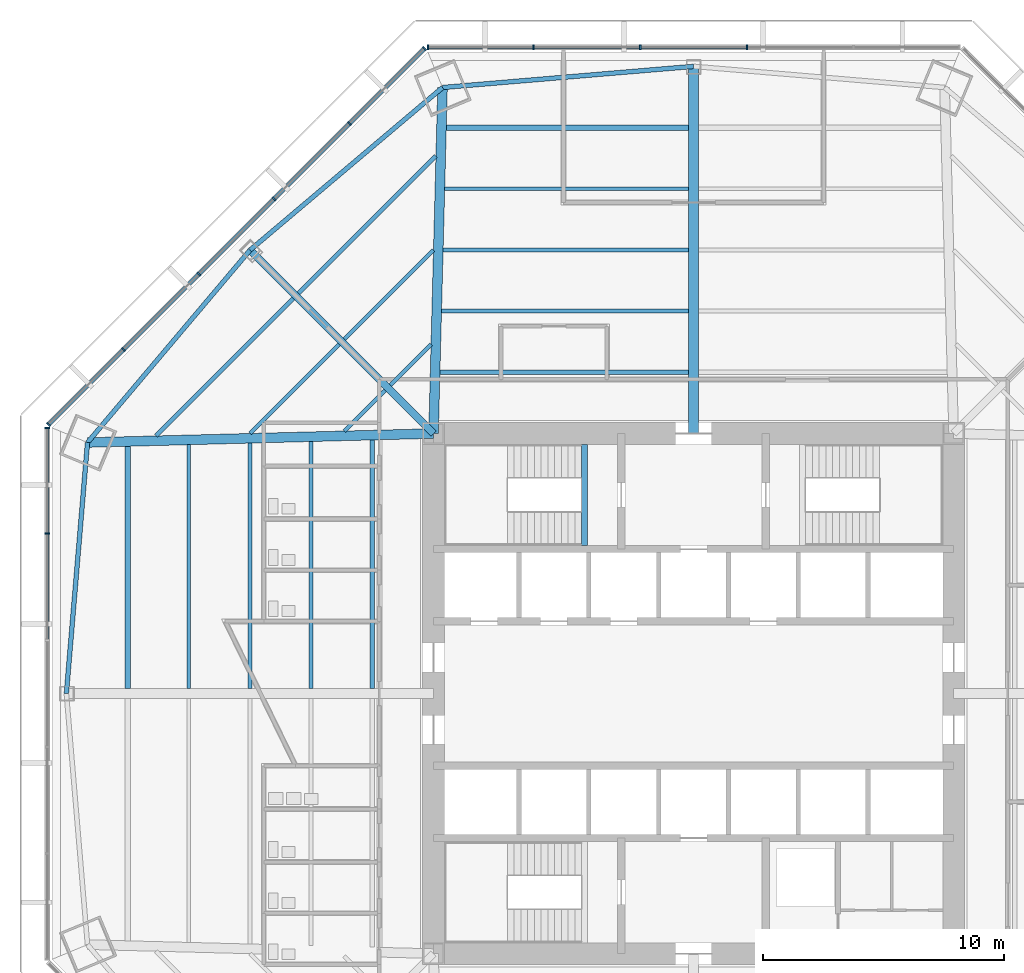
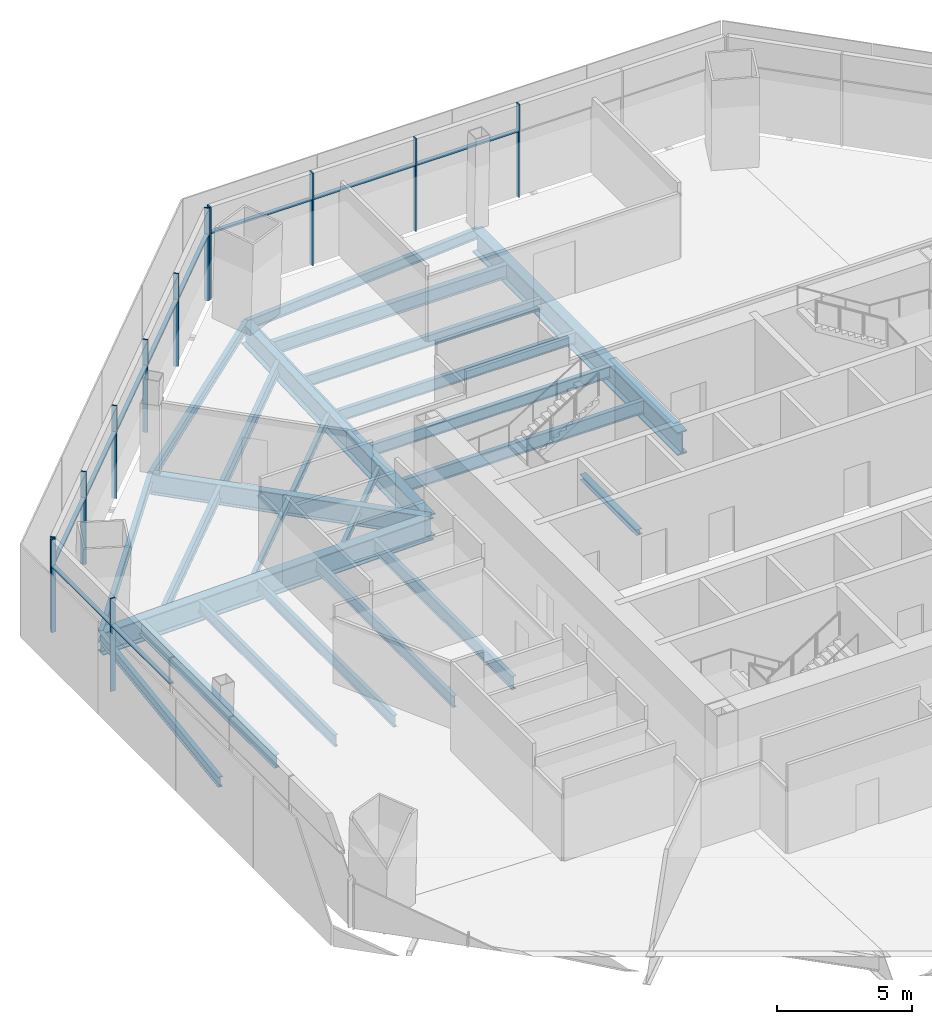
# One storey, part 4 of 14: 25 beams, 22 members, 3 elements without a shape of their own.
"""IFC4 building model written with IfcOpenShell, lengths in metres."""

from ifc_helpers import new_model, si_unit, direction, frame, origin, origin_2d, place, context, subcontext, project, spatial, rectangle, i_section, extrude, source, transform, mapped, material, material_profile, profile_set, type_object, type_shapes, element, aggregate, save


model = new_model("IFC4")

# Units and contexts
model_context = context("Model", 3, precision=1e-05, world=origin(), true_north=direction((0.0, 1.0)))
body_context = subcontext(model_context, "Body", "Model", "MODEL_VIEW")
ifc_project = project(units=[si_unit("LENGTHUNIT", "METRE"), si_unit("AREAUNIT", "SQUARE_METRE"), si_unit("VOLUMEUNIT", "CUBIC_METRE"), si_unit("PLANEANGLEUNIT", "RADIAN"), si_unit("MASSUNIT", "GRAM", prefix="KILO")], contexts=[model_context])

# Site, building, storey
site_placement = place(None, origin())
site = spatial("IfcSite", under=ifc_project, at=site_placement, CompositionType="ELEMENT")
building_placement = place(site_placement, origin())
building = spatial("IfcBuilding", under=site, at=building_placement, Name="Mashrafa Tower", CompositionType="ELEMENT")
storey_placement = place(building_placement, frame((0.0, 0.0, 41.39990234375)))
storey = spatial("IfcBuildingStorey", under=building, at=storey_placement, Name="L08", CompositionType="ELEMENT", Elevation=41.39990234375)

# Beams
ifc_material_1 = material(Name="Steel ASTM A992", Category="steel")
ifc_material_profile_1 = material_profile(ifc_material_1, i_section(OverallWidth=0.164794921875, OverallDepth=0.309814453125, WebThickness=0.005859375, FlangeThickness=0.009765625, FilletRadius=0.007568359375, at=origin_2d()), Name="W12X26")
ifc_profile_set_1 = profile_set([ifc_material_profile_1], Name="Steel ASTM A992")
beam_type_1 = type_object("IfcBeamType", Name="Beam W12X26", PredefinedType="BEAM", material=ifc_profile_set_1)
beam_1_placement = place(storey_placement, frame((-18.41650390625, 10.802490234375, -0.31982421875), z_axis=(0.707106781187, 0.707106781187, 0.0), x_axis=(-0.707106781187, 0.707106781187, 0.0)))
element("IfcBeam", 1, at=beam_1_placement, inside=storey, type_object=beam_type_1, Name="Floor beam L08 006", PredefinedType="BEAM", context=body_context, shape_type="SweptSolid", body=[
    extrude(i_section(OverallWidth=0.164794921875, OverallDepth=0.309814453125, WebThickness=0.005859375, FlangeThickness=0.009765625, FilletRadius=0.007568359375, at=origin_2d()), origin(), (0.0, 0.0, 1.0), 5.230224609375),
])
beam_2_placement = place(storey_placement, frame((-14.505126953125, 10.904296875, -0.31982421875), z_axis=(0.707106781187, 0.707106781187, 0.0), x_axis=(-0.707106781187, 0.707106781187, 0.0)))
element("IfcBeam", 2, at=beam_2_placement, inside=storey, type_object=beam_type_1, Name="Floor beam L08 013", PredefinedType="BEAM", context=body_context, shape_type="SweptSolid", body=[
    extrude(i_section(OverallWidth=0.164794921875, OverallDepth=0.309814453125, WebThickness=0.005859375, FlangeThickness=0.009765625, FilletRadius=0.007568359375, at=origin_2d()), origin(), (0.0, 0.0, 1.0), 2.392333984375),
])
beam_3_placement = place(storey_placement, frame((-14.500732421875, 14.71826171875, -0.31982421875), z_axis=(0.707106781187, 0.707106781187, 0.0), x_axis=(-0.707106781187, 0.707106781187, 0.0)))
element("IfcBeam", 3, at=beam_3_placement, inside=storey, type_object=beam_type_1, Name="Floor beam L08 015", PredefinedType="BEAM", context=body_context, shape_type="SweptSolid", body=[
    extrude(i_section(OverallWidth=0.164794921875, OverallDepth=0.309814453125, WebThickness=0.005859375, FlangeThickness=0.009765625, FilletRadius=0.007568359375, at=origin_2d()), origin(), (0.0, 0.0, 1.0), 5.230224609375),
])
beam_4_placement = place(storey_placement, frame((-12.595947265625, 12.8134765625, -0.31982421875), z_axis=(0.707106781187, 0.707106781187, 0.0), x_axis=(-0.707106781187, 0.707106781187, 0.0)))
element("IfcBeam", 4, at=beam_4_placement, inside=storey, type_object=beam_type_1, Name="Floor beam L08 019", PredefinedType="BEAM", context=body_context, shape_type="SweptSolid", body=[
    extrude(i_section(OverallWidth=0.164794921875, OverallDepth=0.309814453125, WebThickness=0.005859375, FlangeThickness=0.009765625, FilletRadius=0.007568359375, at=origin_2d()), origin(), (0.0, 0.0, 1.0), 2.392333984375),
])
ifc_material_2 = material(Name="Steel ASTM A992", Category="steel")
ifc_material_profile_2 = material_profile(ifc_material_2, i_section(OverallWidth=0.191162109375, OverallDepth=0.459716796875, WebThickness=0.010009765625, FlangeThickness=0.01611328125, FilletRadius=0.01025390625, at=origin_2d()), Name="W18X55")
ifc_profile_set_2 = profile_set([ifc_material_profile_2], Name="Steel ASTM A992")
beam_type_2 = type_object("IfcBeamType", Name="Beam W18X55", PredefinedType="BEAM", material=ifc_profile_set_2)
for number, where, z_axis, x_axis, name in (
    (5, (-25.169921875, 10.42578125, -0.394775390625), (-0.083933762543, -0.996471336018, 0.0), (0.996471336018, -0.083933762543, 0.0), "Spandrel beam L08 083"),
    (6, (-18.4189453125, 18.4189453125, -0.394775390625), (-0.645247408688, -0.763973678592, 0.0), (0.763973678592, -0.645247408688, 0.0), "Spandrel beam L08 085"),
    (7, (-10.42578125, 25.169921875, -0.394775390625), (-0.763973678592, -0.645247408688, 0.0), (0.645247408688, -0.763973678592, 0.0), "Spandrel beam L08 087"),
    (8, (0.0, 26.048095703125, -0.394775390625), (-0.996471336018, -0.083933762543, 0.0), (0.083933762543, -0.996471336018, 0.0), "Spandrel beam L08 089"),
):
    element("IfcBeam", number, at=place(storey_placement, frame(where, z_axis=z_axis, x_axis=x_axis)), inside=storey, type_object=beam_type_2, Name=name, PredefinedType="BEAM", context=body_context, shape_type="SweptSolid", body=[
        extrude(i_section(OverallWidth=0.191162109375, OverallDepth=0.459716796875, WebThickness=0.010009765625, FlangeThickness=0.01611328125, FilletRadius=0.01025390625, at=origin_2d()), origin(), (0.0, 0.0, 1.0), 10.462646484375),
    ])
ifc_material_3 = material(Name="Steel ASTM A992", Category="steel")
ifc_material_profile_3 = material_profile(ifc_material_3, i_section(OverallWidth=0.165771484375, OverallDepth=0.5283203125, WebThickness=0.009765625, FlangeThickness=0.013671875, FilletRadius=0.012939453125, at=origin_2d()), Name="W21X50")
ifc_profile_set_3 = profile_set([ifc_material_profile_3], Name="Steel ASTM A992")
beam_type_3 = type_object("IfcBeamType", Name="Beam W21X50", PredefinedType="BEAM", material=ifc_profile_set_3)
beam_5_placement = place(storey_placement, frame((-20.965576171875, 0.20458984375, -0.428955078125), z_axis=(0.0, 1.0, 0.0), x_axis=(-1.0, 0.0, 0.0)))
element("IfcBeam", 9, at=beam_5_placement, inside=storey, type_object=beam_type_3, Name="Floor beam L08 005", PredefinedType="BEAM", context=body_context, shape_type="SweptSolid", body=[
    extrude(i_section(OverallWidth=0.165771484375, OverallDepth=0.5283203125, WebThickness=0.009765625, FlangeThickness=0.013671875, FilletRadius=0.012939453125, at=origin_2d()), origin(), (0.0, 0.0, 1.0), 10.130126953125),
])
beam_6_placement = place(storey_placement, frame((-18.424072265625, 0.20458984375, -0.428955078125), z_axis=(0.0, 1.0, 0.0), x_axis=(-1.0, 0.0, 0.0)))
element("IfcBeam", 10, at=beam_6_placement, inside=storey, type_object=beam_type_3, Name="Floor beam L08 008", PredefinedType="BEAM", context=body_context, shape_type="SweptSolid", body=[
    extrude(i_section(OverallWidth=0.165771484375, OverallDepth=0.5283203125, WebThickness=0.009765625, FlangeThickness=0.013671875, FilletRadius=0.012939453125, at=origin_2d()), origin(), (0.0, 0.0, 1.0), 10.1962890625),
])
for number, where, z_axis, x_axis, name in (
    (11, (-15.8828125, 0.20458984375, -0.428955078125), (0.0, 1.0, 0.0), (-1.0, 0.0, 0.0), "Floor beam L08 012"),
    (12, (-10.466796875, 15.8828125, -0.428955078125), (1.0, 0.0, 0.0), (0.0, 1.0, 0.0), "Floor beam L08 022"),
):
    element("IfcBeam", number, at=place(storey_placement, frame(where, z_axis=z_axis, x_axis=x_axis)), inside=storey, type_object=beam_type_3, Name=name, PredefinedType="BEAM", context=body_context, shape_type="SweptSolid", body=[
        extrude(i_section(OverallWidth=0.165771484375, OverallDepth=0.5283203125, WebThickness=0.009765625, FlangeThickness=0.013671875, FilletRadius=0.012939453125, at=origin_2d()), origin(), (0.0, 0.0, 1.0), 10.26220703125),
    ])
beam_7_placement = place(storey_placement, frame((-10.40087890625, 18.424072265625, -0.428955078125), z_axis=(1.0, 0.0, 0.0), x_axis=(0.0, 1.0, 0.0)))
element("IfcBeam", 13, at=beam_7_placement, inside=storey, type_object=beam_type_3, Name="Floor beam L08 023", PredefinedType="BEAM", context=body_context, shape_type="SweptSolid", body=[
    extrude(i_section(OverallWidth=0.165771484375, OverallDepth=0.5283203125, WebThickness=0.009765625, FlangeThickness=0.013671875, FilletRadius=0.012939453125, at=origin_2d()), origin(), (0.0, 0.0, 1.0), 10.1962890625),
])
beam_8_placement = place(storey_placement, frame((-10.334716796875, 20.965576171875, -0.428955078125), z_axis=(1.0, 0.0, 0.0), x_axis=(0.0, 1.0, 0.0)))
element("IfcBeam", 14, at=beam_8_placement, inside=storey, type_object=beam_type_3, Name="Floor beam L08 025", PredefinedType="BEAM", context=body_context, shape_type="SweptSolid", body=[
    extrude(i_section(OverallWidth=0.165771484375, OverallDepth=0.5283203125, WebThickness=0.009765625, FlangeThickness=0.013671875, FilletRadius=0.012939453125, at=origin_2d()), origin(), (0.0, 0.0, 1.0), 10.130126953125),
])
ifc_material_4 = material(Name="Steel ASTM A992", Category="steel")
ifc_material_profile_4 = material_profile(ifc_material_4, i_section(OverallWidth=0.177978515625, OverallDepth=0.599365234375, WebThickness=0.010009765625, FlangeThickness=0.012939453125, FilletRadius=0.012939453125, at=origin_2d()), Name="W24X55")
ifc_profile_set_4 = profile_set([ifc_material_profile_4], Name="Steel ASTM A992")
beam_type_4 = type_object("IfcBeamType", Name="Beam W24X55", PredefinedType="BEAM", material=ifc_profile_set_4)
for number, where, z_axis, x_axis, name in (
    (15, (-22.327880859375, 10.700439453125, -0.464599609375), (0.707106781187, 0.707106781187, 0.0), (-0.707106781187, 0.707106781187, 0.0), "Floor beam L08 003"),
    (16, (-16.405517578125, 16.622802734375, -0.464599609375), (0.707106781187, 0.707106781187, 0.0), (-0.707106781187, 0.707106781187, 0.0), "Floor beam L08 010"),
):
    element("IfcBeam", number, at=place(storey_placement, frame(where, z_axis=z_axis, x_axis=x_axis)), inside=storey, type_object=beam_type_4, Name=name, PredefinedType="BEAM", context=body_context, shape_type="SweptSolid", body=[
        extrude(i_section(OverallWidth=0.177978515625, OverallDepth=0.599365234375, WebThickness=0.010009765625, FlangeThickness=0.012939453125, FilletRadius=0.012939453125, at=origin_2d()), origin(), (0.0, 0.0, 1.0), 8.068115234375),
    ])
for number, where, z_axis, x_axis, name in (
    (17, (-13.34130859375, 0.20458984375, -0.464599609375), (0.0, 1.0, 0.0), (-1.0, 0.0, 0.0), "Floor beam L08 017"),
    (18, (-10.533203125, 13.34130859375, -0.464599609375), (1.0, 0.0, 0.0), (0.0, 1.0, 0.0), "Floor beam L08 020"),
):
    element("IfcBeam", number, at=place(storey_placement, frame(where, z_axis=z_axis, x_axis=x_axis)), inside=storey, type_object=beam_type_4, Name=name, PredefinedType="BEAM", context=body_context, shape_type="SweptSolid", body=[
        extrude(i_section(OverallWidth=0.177978515625, OverallDepth=0.599365234375, WebThickness=0.010009765625, FlangeThickness=0.012939453125, FilletRadius=0.012939453125, at=origin_2d()), origin(), (0.0, 0.0, 1.0), 10.32861328125),
    ])
ifc_material_5 = material(Name="Steel ASTM A992", Category="steel")
ifc_material_profile_5 = material_profile(ifc_material_5, i_section(OverallWidth=0.227783203125, OverallDepth=0.60205078125, WebThickness=0.010498046875, FlangeThickness=0.014892578125, FilletRadius=0.012939453125, at=origin_2d()), Name="W24X68")
ifc_profile_set_5 = profile_set([ifc_material_profile_5], Name="Steel ASTM A992")
beam_type_5 = type_object("IfcBeamType", Name="Beam W24X68", PredefinedType="BEAM", material=ifc_profile_set_5)
for number, where, z_axis, x_axis, name in (
    (19, (-23.5068359375, 0.20458984375, -0.4658203125), (0.0, 1.0, 0.0), (-1.0, 0.0, 0.0), "Floor beam L08 002"),
    (20, (-10.268310546875, 23.5068359375, -0.4658203125), (1.0, 0.0, 0.0), (0.0, 1.0, 0.0), "Floor beam L08 027"),
):
    element("IfcBeam", number, at=place(storey_placement, frame(where, z_axis=z_axis, x_axis=x_axis)), inside=storey, type_object=beam_type_5, Name=name, PredefinedType="BEAM", context=body_context, shape_type="SweptSolid", body=[
        extrude(i_section(OverallWidth=0.227783203125, OverallDepth=0.60205078125, WebThickness=0.010498046875, FlangeThickness=0.014892578125, FilletRadius=0.012939453125, at=origin_2d()), origin(), (0.0, 0.0, 1.0), 10.063720703125),
    ])
ifc_material_6 = material(Name="Steel ASTM A992", Category="steel")
ifc_material_profile_6 = material_profile(ifc_material_6, i_section(OverallWidth=0.307373046875, OverallDepth=0.927001953125, WebThickness=0.01953125, FlangeThickness=0.031982421875, FilletRadius=0.01904296875, at=origin_2d()), Name="W36X194")
ifc_profile_set_6 = profile_set([ifc_material_profile_6], Name="Steel ASTM A992")
beam_type_6 = type_object("IfcBeamType", Name="Beam W36X194", PredefinedType="BEAM", material=ifc_profile_set_6)
beam_9_placement = place(storey_placement, frame((-10.800048828125, 10.800048828125, -0.62841796875), z_axis=(-0.707106781187, 0.707106781187, 0.0), x_axis=(-0.707106781187, -0.707106781187, 0.0)))
element("IfcBeam", 21, at=beam_9_placement, inside=storey, type_object=beam_type_6, Name="Radial girder L08 070", PredefinedType="BEAM", context=body_context, shape_type="SweptSolid", body=[
    extrude(i_section(OverallWidth=0.307373046875, OverallDepth=0.927001953125, WebThickness=0.01953125, FlangeThickness=0.031982421875, FilletRadius=0.01904296875, at=origin_2d()), origin(), (0.0, 0.0, 1.0), 10.774658203125),
])
ifc_material_7 = material(Name="Steel ASTM A992", Category="steel")
ifc_material_profile_7 = material_profile(ifc_material_7, i_section(OverallWidth=0.4013671875, OverallDepth=1.010986328125, WebThickness=0.023681640625, FlangeThickness=0.0419921875, FilletRadius=0.02001953125, at=origin_2d()), Name="W40X297")
ifc_profile_set_7 = profile_set([ifc_material_profile_7], Name="Steel ASTM A992")
beam_type_7 = type_object("IfcBeamType", Name="Beam W40X297", PredefinedType="BEAM", material=ifc_profile_set_7)
for number, where, z_axis, x_axis, name in (
    (22, (-10.800048828125, 10.800048828125, -0.67041015625), (-0.999660993778, -0.02603646517, 0.0), (0.02603646517, -0.999660993778, 0.0), "Radial girder L08 069"),
    (23, (-10.800048828125, 10.800048828125, -0.67041015625), (0.02603646517, 0.999660993778, 0.0), (-0.999660993778, 0.02603646517, 0.0), "Radial girder L08 071"),
):
    element("IfcBeam", number, at=place(storey_placement, frame(where, z_axis=z_axis, x_axis=x_axis)), inside=storey, type_object=beam_type_7, Name=name, PredefinedType="BEAM", context=body_context, shape_type="SweptSolid", body=[
        extrude(i_section(OverallWidth=0.4013671875, OverallDepth=1.010986328125, WebThickness=0.023681640625, FlangeThickness=0.0419921875, FilletRadius=0.02001953125, at=origin_2d()), origin(), (0.0, 0.0, 1.0), 14.374755859375),
    ])
ifc_material_8 = material(Name="Steel ASTM A992", Category="steel")
ifc_material_profile_8 = material_profile(ifc_material_8, i_section(OverallWidth=0.408935546875, OverallDepth=1.04150390625, WebThickness=0.031005859375, FlangeThickness=0.055908203125, FilletRadius=0.020263671875, at=origin_2d()), Name="W40X397")
ifc_profile_set_8 = profile_set([ifc_material_profile_8], Name="Steel ASTM A992")
beam_type_8 = type_object("IfcBeamType", Name="Beam W40X397", PredefinedType="BEAM", material=ifc_profile_set_8)
beam_10_placement = place(storey_placement, frame((0.0, 10.800048828125, -0.685546875), z_axis=(0.0, 1.0, 0.0), x_axis=(-1.0, 0.0, 0.0)))
element("IfcBeam", 24, at=beam_10_placement, inside=storey, type_object=beam_type_8, Name="Radial girder L08 073", PredefinedType="BEAM", context=body_context, shape_type="SweptSolid", body=[
    extrude(i_section(OverallWidth=0.408935546875, OverallDepth=1.04150390625, WebThickness=0.031005859375, FlangeThickness=0.055908203125, FilletRadius=0.020263671875, at=origin_2d()), origin(), (0.0, 0.0, 1.0), 15.248046875),
])
ifc_material_9 = material(Name="Steel ASTM A992", Category="steel")
ifc_material_profile_9 = material_profile(ifc_material_9, i_section(OverallWidth=0.25390625, OverallDepth=0.25390625, WebThickness=0.008544921875, FlangeThickness=0.01416015625, FilletRadius=0.010009765625, at=origin_2d()), Name="W10X49")
ifc_profile_set_9 = profile_set([ifc_material_profile_9], Name="Steel ASTM A992")
beam_type_9 = type_object("IfcBeamType", Name="Hoistway beam W10X49", PredefinedType="BEAM", material=ifc_profile_set_9)
beam_11_placement = place(storey_placement, frame((-4.530029296875, 6.14990234375, -0.326904296875), z_axis=(0.0, 1.0, 0.0), x_axis=(-1.0, 0.0, 0.0)))
element("IfcBeam", 25, at=beam_11_placement, inside=storey, type_object=beam_type_9, Name="Stair S1 landing beam L08", PredefinedType="BEAM", context=body_context, shape_type="SweptSolid", body=[
    extrude(i_section(OverallWidth=0.25390625, OverallDepth=0.25390625, WebThickness=0.008544921875, FlangeThickness=0.01416015625, FilletRadius=0.010009765625, at=origin_2d()), origin(), (0.0, 0.0, 1.0), 4.2001953125),
])

# Curtain wall, members
ifc_material_10 = material(Name="Unitised aluminium curtain wall", Category="aluminium")
curtain_wall_type = type_object("IfcCurtainWallType", Name="Office curtain wall, zone 1 CW-A 200 deep", PredefinedType="NOTDEFINED", material=ifc_material_10)
curtain_wall_1_placement = place(storey_placement, origin())
curtain_wall_1 = element("IfcCurtainWall", 26, at=curtain_wall_1_placement, inside=storey, type_object=curtain_wall_type, Name="Office curtain wall, zone 1 L08 north", PredefinedType="NOTDEFINED")
ifc_material_11 = material(Name="Extruded aluminium mullion", Category="aluminium")
ifc_material_profile_10 = material_profile(ifc_material_11, rectangle(XDim=0.199951171875, YDim=0.06494140625, at=origin_2d()), Name="Mullion 65x200")
ifc_profile_set_10 = profile_set([ifc_material_profile_10], Name="Extruded aluminium mullion")
member_type_1 = type_object("IfcMemberType", Name="Mullion CW-A 65 x 200", PredefinedType="MULLION", material=ifc_profile_set_10)
shared_shape_1 = source(origin(), body_context, "Body", "SweptSolid", [
    extrude(rectangle(XDim=0.199951171875, YDim=0.06494140625, at=origin_2d()), origin(), (0.0, 0.0, 1.0), 4.2001953125),
])
type_shapes(member_type_1, [shared_shape_1])
member_1_placement = place(storey_placement, frame((2.213623046875, 26.843505859375, 0.0), z_axis=(0.0, 0.0, 1.0), x_axis=(0.0, -1.0, 0.0)))
member_1 = element("IfcMember", 27, at=member_1_placement, type_object=member_type_1, Name="CW-A mullion 3", PredefinedType="MULLION", context=body_context, shape_type="MappedRepresentation", body=[
    mapped(shared_shape_1, transform((0.0, 0.0, 0.0))),
])
member_2_placement = place(storey_placement, frame((-2.213623046875, 26.843505859375, 0.0), z_axis=(0.0, 0.0, 1.0), x_axis=(0.0, -1.0, 0.0)))
member_2 = element("IfcMember", 28, at=member_2_placement, type_object=member_type_1, Name="CW-A mullion 4", PredefinedType="MULLION", context=body_context, shape_type="MappedRepresentation", body=[
    mapped(shared_shape_1, transform((0.0, 0.0, 0.0))),
])
member_3_placement = place(storey_placement, frame((-6.640625, 26.843505859375, 0.0), z_axis=(0.0, 0.0, 1.0), x_axis=(0.0, -1.0, 0.0)))
member_3 = element("IfcMember", 29, at=member_3_placement, type_object=member_type_1, Name="CW-A mullion 5", PredefinedType="MULLION", context=body_context, shape_type="MappedRepresentation", body=[
    mapped(shared_shape_1, transform((0.0, 0.0, 0.0))),
])
member_4_placement = place(storey_placement, frame((-11.03515625, 26.843505859375, 0.0), z_axis=(0.0, 0.0, 1.0), x_axis=(0.0, -1.0, 0.0)))
member_4 = element("IfcMember", 30, at=member_4_placement, type_object=member_type_1, Name="CW-A mullion 6", PredefinedType="MULLION", context=body_context, shape_type="MappedRepresentation", body=[
    mapped(shared_shape_1, transform((0.0, 0.0, 0.0))),
])

curtain_wall_2_placement = place(storey_placement, origin())
curtain_wall_2 = element("IfcCurtainWall", 31, at=curtain_wall_2_placement, inside=storey, type_object=curtain_wall_type, Name="Office curtain wall, zone 1 L08 north-west", PredefinedType="NOTDEFINED")
member_5_placement = place(storey_placement, frame((-11.17822265625, 26.7841796875, 0.0), z_axis=(0.0, 0.0, 1.0), x_axis=(0.707106781187, -0.707106781187, 0.0)))
member_5 = element("IfcMember", 32, at=member_5_placement, type_object=member_type_1, Name="CW-A mullion 1", PredefinedType="MULLION", context=body_context, shape_type="MappedRepresentation", body=[
    mapped(shared_shape_1, transform((0.0, 0.0, 0.0))),
])
member_6_placement = place(storey_placement, frame((-14.28564453125, 23.6767578125, 0.0), z_axis=(0.0, 0.0, 1.0), x_axis=(0.707106781187, -0.707106781187, 0.0)))
member_6 = element("IfcMember", 33, at=member_6_placement, type_object=member_type_1, Name="CW-A mullion 2", PredefinedType="MULLION", context=body_context, shape_type="MappedRepresentation", body=[
    mapped(shared_shape_1, transform((0.0, 0.0, 0.0))),
])
member_7_placement = place(storey_placement, frame((-17.416015625, 20.54638671875, 0.0), z_axis=(0.0, 0.0, 1.0), x_axis=(0.707106781187, -0.707106781187, 0.0)))
member_7 = element("IfcMember", 34, at=member_7_placement, type_object=member_type_1, Name="CW-A mullion 3", PredefinedType="MULLION", context=body_context, shape_type="MappedRepresentation", body=[
    mapped(shared_shape_1, transform((0.0, 0.0, 0.0))),
])
member_8_placement = place(storey_placement, frame((-20.54638671875, 17.416015625, 0.0), z_axis=(0.0, 0.0, 1.0), x_axis=(0.707106781187, -0.707106781187, 0.0)))
member_8 = element("IfcMember", 35, at=member_8_placement, type_object=member_type_1, Name="CW-A mullion 4", PredefinedType="MULLION", context=body_context, shape_type="MappedRepresentation", body=[
    mapped(shared_shape_1, transform((0.0, 0.0, 0.0))),
])
member_9_placement = place(storey_placement, frame((-23.6767578125, 14.28564453125, 0.0), z_axis=(0.0, 0.0, 1.0), x_axis=(0.707106781187, -0.707106781187, 0.0)))
member_9 = element("IfcMember", 36, at=member_9_placement, type_object=member_type_1, Name="CW-A mullion 5", PredefinedType="MULLION", context=body_context, shape_type="MappedRepresentation", body=[
    mapped(shared_shape_1, transform((0.0, 0.0, 0.0))),
])
member_10_placement = place(storey_placement, frame((-26.7841796875, 11.17822265625, 0.0), z_axis=(0.0, 0.0, 1.0), x_axis=(0.707106781187, -0.707106781187, 0.0)))
member_10 = element("IfcMember", 37, at=member_10_placement, type_object=member_type_1, Name="CW-A mullion 6", PredefinedType="MULLION", context=body_context, shape_type="MappedRepresentation", body=[
    mapped(shared_shape_1, transform((0.0, 0.0, 0.0))),
])

curtain_wall_3_placement = place(storey_placement, origin())
curtain_wall_3 = element("IfcCurtainWall", 38, at=curtain_wall_3_placement, inside=storey, type_object=curtain_wall_type, Name="Office curtain wall, zone 1 L08 west", PredefinedType="NOTDEFINED")
member_11_placement = place(storey_placement, frame((-26.843505859375, 11.03515625, 0.0), z_axis=(0.0, 0.0, 1.0), x_axis=(1.0, 0.0, 0.0)))
member_11 = element("IfcMember", 39, at=member_11_placement, type_object=member_type_1, Name="CW-A mullion 1", PredefinedType="MULLION", context=body_context, shape_type="MappedRepresentation", body=[
    mapped(shared_shape_1, transform((0.0, 0.0, 0.0))),
])
member_12_placement = place(storey_placement, frame((-26.843505859375, 6.640625, 0.0), z_axis=(0.0, 0.0, 1.0), x_axis=(1.0, 0.0, 0.0)))
member_12 = element("IfcMember", 40, at=member_12_placement, type_object=member_type_1, Name="CW-A mullion 2", PredefinedType="MULLION", context=body_context, shape_type="MappedRepresentation", body=[
    mapped(shared_shape_1, transform((0.0, 0.0, 0.0))),
])

# Member
ifc_material_12 = material(Name="Extruded aluminium transom", Category="aluminium")
ifc_material_profile_11 = material_profile(ifc_material_12, rectangle(XDim=0.159912109375, YDim=0.080078125, at=origin_2d()), Name="Transom 80x160")
ifc_profile_set_11 = profile_set([ifc_material_profile_11], Name="Extruded aluminium transom")
member_type_2 = type_object("IfcMemberType", Name="Transom CW-A 80 x 160", PredefinedType="MULLION", material=ifc_profile_set_11)
shared_shape_2 = source(origin(), body_context, "Body", "SweptSolid", [
    extrude(rectangle(XDim=0.159912109375, YDim=0.080078125, at=origin_2d()), origin(), (0.0, 0.0, 1.0), 4.329345703125),
])
member_13_placement = place(storey_placement, frame((-6.673095703125, 26.843505859375, 3.0), z_axis=(-1.0, 0.0, 0.0), x_axis=(0.0, -1.0, 0.0)))
member_13 = element("IfcMember", 41, at=member_13_placement, type_object=member_type_2, Name="CW-A transom 5", PredefinedType="MULLION", context=body_context, shape_type="MappedRepresentation", body=[
    mapped(shared_shape_2, transform((0.0, 0.0, 0.0))),
])

member_14_placement = place(storey_placement, frame((-26.843505859375, 11.00244140625, 3.0), z_axis=(0.0, -1.0, 0.0), x_axis=(1.0, 0.0, 0.0)))
member_14 = element("IfcMember", 42, at=member_14_placement, type_object=member_type_2, Name="CW-A transom 1", PredefinedType="MULLION", context=body_context, shape_type="MappedRepresentation", body=[
    mapped(shared_shape_2, transform((0.0, 0.0, 0.0))),
])

shared_shape_3 = source(origin(), body_context, "Body", "SweptSolid", [
    extrude(rectangle(XDim=0.159912109375, YDim=0.080078125, at=origin_2d()), origin(), (0.0, 0.0, 1.0), 4.36181640625),
])
member_15_placement = place(storey_placement, frame((2.180908203125, 26.843505859375, 3.0), z_axis=(-1.0, 0.0, 0.0), x_axis=(0.0, -1.0, 0.0)))
member_15 = element("IfcMember", 43, at=member_15_placement, type_object=member_type_2, Name="CW-A transom 3", PredefinedType="MULLION", context=body_context, shape_type="MappedRepresentation", body=[
    mapped(shared_shape_3, transform((0.0, 0.0, 0.0))),
])

member_16_placement = place(storey_placement, frame((-2.24609375, 26.843505859375, 3.0), z_axis=(-1.0, 0.0, 0.0), x_axis=(0.0, -1.0, 0.0)))
member_16 = element("IfcMember", 44, at=member_16_placement, type_object=member_type_2, Name="CW-A transom 4", PredefinedType="MULLION", context=body_context, shape_type="MappedRepresentation", body=[
    mapped(shared_shape_3, transform((0.0, 0.0, 0.0))),
])

aggregate(curtain_wall_1, [member_1, member_2, member_3, member_4, member_15, member_16, member_13])

member_17_placement = place(storey_placement, frame((-26.843505859375, 6.60791015625, 3.0), z_axis=(0.0, -1.0, 0.0), x_axis=(1.0, 0.0, 0.0)))
member_17 = element("IfcMember", 45, at=member_17_placement, type_object=member_type_2, Name="CW-A transom 2", PredefinedType="MULLION", context=body_context, shape_type="MappedRepresentation", body=[
    mapped(shared_shape_3, transform((0.0, 0.0, 0.0))),
])

aggregate(curtain_wall_3, [member_11, member_12, member_14, member_17])

shared_shape_4 = source(origin(), body_context, "Body", "SweptSolid", [
    extrude(rectangle(XDim=0.159912109375, YDim=0.080078125, at=origin_2d()), origin(), (0.0, 0.0, 1.0), 4.32958984375),
])
member_18_placement = place(storey_placement, frame((-11.201171875, 26.76123046875, 3.0), z_axis=(-0.707106781187, -0.707106781187, 0.0), x_axis=(0.707106781187, -0.707106781187, 0.0)))
member_18 = element("IfcMember", 46, at=member_18_placement, type_object=member_type_2, Name="CW-A transom 1", PredefinedType="MULLION", context=body_context, shape_type="MappedRepresentation", body=[
    mapped(shared_shape_4, transform((0.0, 0.0, 0.0))),
])

member_19_placement = place(storey_placement, frame((-23.69970703125, 14.2626953125, 3.0), z_axis=(-0.707106781187, -0.707106781187, 0.0), x_axis=(0.707106781187, -0.707106781187, 0.0)))
member_19 = element("IfcMember", 47, at=member_19_placement, type_object=member_type_2, Name="CW-A transom 5", PredefinedType="MULLION", context=body_context, shape_type="MappedRepresentation", body=[
    mapped(shared_shape_4, transform((0.0, 0.0, 0.0))),
])

shared_shape_5 = source(origin(), body_context, "Body", "SweptSolid", [
    extrude(rectangle(XDim=0.159912109375, YDim=0.080078125, at=origin_2d()), origin(), (0.0, 0.0, 1.0), 4.362060546875),
])
type_shapes(member_type_2, [shared_shape_2, shared_shape_3, shared_shape_4, shared_shape_5])
member_20_placement = place(storey_placement, frame((-14.30859375, 23.65380859375, 3.0), z_axis=(-0.707106781187, -0.707106781187, 0.0), x_axis=(0.707106781187, -0.707106781187, 0.0)))
member_20 = element("IfcMember", 48, at=member_20_placement, type_object=member_type_2, Name="CW-A transom 2", PredefinedType="MULLION", context=body_context, shape_type="MappedRepresentation", body=[
    mapped(shared_shape_5, transform((0.0, 0.0, 0.0))),
])

member_21_placement = place(storey_placement, frame((-17.43896484375, 20.5234375, 3.0), z_axis=(-0.707106781187, -0.707106781187, 0.0), x_axis=(0.707106781187, -0.707106781187, 0.0)))
member_21 = element("IfcMember", 49, at=member_21_placement, type_object=member_type_2, Name="CW-A transom 3", PredefinedType="MULLION", context=body_context, shape_type="MappedRepresentation", body=[
    mapped(shared_shape_5, transform((0.0, 0.0, 0.0))),
])

member_22_placement = place(storey_placement, frame((-20.5693359375, 17.39306640625, 3.0), z_axis=(-0.707106781187, -0.707106781187, 0.0), x_axis=(0.707106781187, -0.707106781187, 0.0)))
member_22 = element("IfcMember", 50, at=member_22_placement, type_object=member_type_2, Name="CW-A transom 4", PredefinedType="MULLION", context=body_context, shape_type="MappedRepresentation", body=[
    mapped(shared_shape_5, transform((0.0, 0.0, 0.0))),
])

aggregate(curtain_wall_2, [member_5, member_6, member_7, member_8, member_9, member_10, member_18, member_20, member_21, member_22, member_19])

save(model, "model.ifc")
